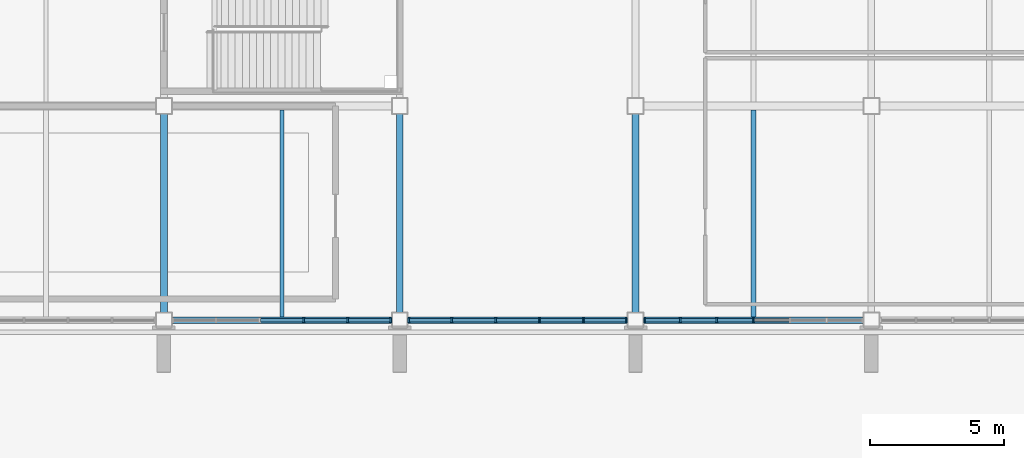
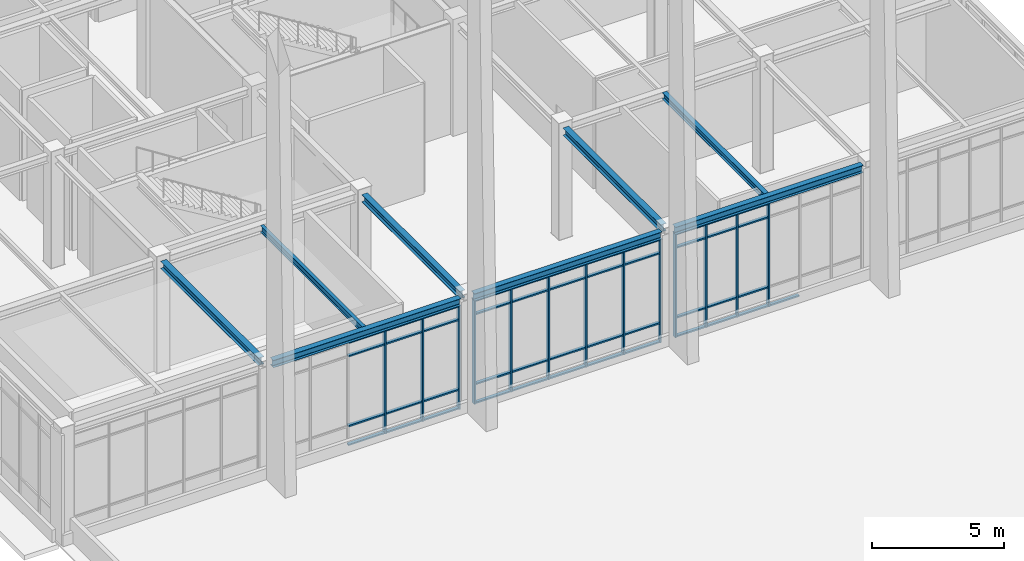
# One storey, part 23 of 108: 58 members, 8 beams, 3 elements without a shape of their own.
"""IFC4 building model written with IfcOpenShell, lengths in metres."""

from ifc_helpers import new_model, si_unit, direction, frame, origin, origin_2d, place, context, subcontext, project, spatial, rectangle, i_section, extrude, material, material_profile, profile_set, type_object, element, aggregate, save


model = new_model("IFC4")

# Units and contexts
model_context = context("Model", 3, precision=1e-05, world=origin(), true_north=direction((0.0, 1.0)))
body_context = subcontext(model_context, "Body", "Model", "MODEL_VIEW")
ifc_project = project(units=[si_unit("LENGTHUNIT", "METRE"), si_unit("AREAUNIT", "SQUARE_METRE"), si_unit("VOLUMEUNIT", "CUBIC_METRE"), si_unit("PLANEANGLEUNIT", "RADIAN"), si_unit("MASSUNIT", "GRAM", prefix="KILO")], contexts=[model_context])

# Site, building, storey
site_placement = place(None, origin())
site = spatial("IfcSite", under=ifc_project, at=site_placement, CompositionType="ELEMENT")
building_placement = place(site_placement, origin())
building = spatial("IfcBuilding", under=site, at=building_placement, Name="Zhaolan Boulevard Law Courts", CompositionType="ELEMENT")
storey_placement = place(building_placement, frame((0.0, 0.0, 10.800048828125)))
storey = spatial("IfcBuildingStorey", under=building, at=storey_placement, Name="L02", CompositionType="ELEMENT", Elevation=10.800048828125)

# Curtain wall, members
ifc_material_1 = material(Name="Thermally broken aluminium and low-E glazing", Category="aluminium")
curtain_wall_type_1 = type_object("IfcCurtainWallType", Name="CURTAIN WALL M8", PredefinedType="USERDEFINED", material=ifc_material_1)
curtain_wall_1_placement = place(storey_placement, origin())
curtain_wall_1 = element("IfcCurtainWall", 1, at=curtain_wall_1_placement, inside=storey, type_object=curtain_wall_type_1, Name="Curtain Wall CW-L02-152", ObjectType="CURTAIN WALL", PredefinedType="USERDEFINED")
ifc_material_2 = material(Name="Fluorocarbon-coated aluminium 6063-T6", Category="aluminium")
ifc_material_profile_1 = material_profile(ifc_material_2, rectangle(XDim=0.179931640625, YDim=0.06494140625, at=origin_2d()), Name="AL65x180")
ifc_profile_set_1 = profile_set([ifc_material_profile_1], Name="Fluorocarbon-coated aluminium 6063-T6")
member_type_1 = type_object("IfcMemberType", Name="CWMULLION 65X180", PredefinedType="MULLION", material=ifc_profile_set_1)
member_1_placement = place(storey_placement, frame((14.01953125, 30.0, 0.0), z_axis=(0.0, 0.0, 1.0), x_axis=(0.0, 1.0, 0.0)))
member_1 = element("IfcMember", 2, at=member_1_placement, type_object=member_type_1, Name="CW-L02-152 mullion 4", PredefinedType="MULLION", context=body_context, shape_type="SweptSolid", body=[
    extrude(rectangle(XDim=0.179931640625, YDim=0.06494140625, at=origin_2d()), origin(), (0.0, 0.0, 1.0), 4.782958984375),
])
member_2_placement = place(storey_placement, frame((15.65869140625, 30.0, 0.0), z_axis=(0.0, 0.0, 1.0), x_axis=(0.0, 1.0, 0.0)))
member_2 = element("IfcMember", 3, at=member_2_placement, type_object=member_type_1, Name="CW-L02-152 mullion 5", PredefinedType="MULLION", context=body_context, shape_type="SweptSolid", body=[
    extrude(rectangle(XDim=0.179931640625, YDim=0.06494140625, at=origin_2d()), origin(), (0.0, 0.0, 1.0), 4.782958984375),
])
member_3_placement = place(storey_placement, frame((17.265380859375, 30.0, 0.0), z_axis=(0.0, 0.0, 1.0), x_axis=(0.0, 1.0, 0.0)))
member_3 = element("IfcMember", 4, at=member_3_placement, type_object=member_type_1, Name="CW-L02-152 mullion 6", PredefinedType="MULLION", context=body_context, shape_type="SweptSolid", body=[
    extrude(rectangle(XDim=0.179931640625, YDim=0.06494140625, at=origin_2d()), origin(), (0.0, 0.0, 1.0), 4.782958984375),
])

ifc_material_3 = material(Name="Thermally broken aluminium and low-E glazing", Category="aluminium")
curtain_wall_type_2 = type_object("IfcCurtainWallType", Name="CURTAIN WALL M9", PredefinedType="USERDEFINED", material=ifc_material_3)
curtain_wall_2_placement = place(storey_placement, origin())
curtain_wall_2 = element("IfcCurtainWall", 5, at=curtain_wall_2_placement, inside=storey, type_object=curtain_wall_type_2, Name="Curtain Wall CW-L02-153", ObjectType="CURTAIN WALL", PredefinedType="USERDEFINED")
member_4_placement = place(storey_placement, frame((17.9345703125, 30.0, 0.0), z_axis=(0.0, 0.0, 1.0), x_axis=(0.0, 1.0, 0.0)))
member_4 = element("IfcMember", 6, at=member_4_placement, type_object=member_type_1, Name="CW-L02-153 mullion 1", PredefinedType="MULLION", context=body_context, shape_type="SweptSolid", body=[
    extrude(rectangle(XDim=0.179931640625, YDim=0.06494140625, at=origin_2d()), origin(), (0.0, 0.0, 1.0), 4.782958984375),
])
member_5_placement = place(storey_placement, frame((19.541259765625, 30.0, 0.0), z_axis=(0.0, 0.0, 1.0), x_axis=(0.0, 1.0, 0.0)))
member_5 = element("IfcMember", 7, at=member_5_placement, type_object=member_type_1, Name="CW-L02-153 mullion 2", PredefinedType="MULLION", context=body_context, shape_type="SweptSolid", body=[
    extrude(rectangle(XDim=0.179931640625, YDim=0.06494140625, at=origin_2d()), origin(), (0.0, 0.0, 1.0), 4.782958984375),
])
member_6_placement = place(storey_placement, frame((21.180419921875, 30.0, 0.0), z_axis=(0.0, 0.0, 1.0), x_axis=(0.0, 1.0, 0.0)))
member_6 = element("IfcMember", 8, at=member_6_placement, type_object=member_type_1, Name="CW-L02-153 mullion 3", PredefinedType="MULLION", context=body_context, shape_type="SweptSolid", body=[
    extrude(rectangle(XDim=0.179931640625, YDim=0.06494140625, at=origin_2d()), origin(), (0.0, 0.0, 1.0), 4.782958984375),
])
member_7_placement = place(storey_placement, frame((22.819580078125, 30.0, 0.0), z_axis=(0.0, 0.0, 1.0), x_axis=(0.0, 1.0, 0.0)))
member_7 = element("IfcMember", 9, at=member_7_placement, type_object=member_type_1, Name="CW-L02-153 mullion 4", PredefinedType="MULLION", context=body_context, shape_type="SweptSolid", body=[
    extrude(rectangle(XDim=0.179931640625, YDim=0.06494140625, at=origin_2d()), origin(), (0.0, 0.0, 1.0), 4.782958984375),
])
member_8_placement = place(storey_placement, frame((24.458740234375, 30.0, 0.0), z_axis=(0.0, 0.0, 1.0), x_axis=(0.0, 1.0, 0.0)))
member_8 = element("IfcMember", 10, at=member_8_placement, type_object=member_type_1, Name="CW-L02-153 mullion 5", PredefinedType="MULLION", context=body_context, shape_type="SweptSolid", body=[
    extrude(rectangle(XDim=0.179931640625, YDim=0.06494140625, at=origin_2d()), origin(), (0.0, 0.0, 1.0), 4.782958984375),
])
member_9_placement = place(storey_placement, frame((26.0654296875, 30.0, 0.0), z_axis=(0.0, 0.0, 1.0), x_axis=(0.0, 1.0, 0.0)))
member_9 = element("IfcMember", 11, at=member_9_placement, type_object=member_type_1, Name="CW-L02-153 mullion 6", PredefinedType="MULLION", context=body_context, shape_type="SweptSolid", body=[
    extrude(rectangle(XDim=0.179931640625, YDim=0.06494140625, at=origin_2d()), origin(), (0.0, 0.0, 1.0), 4.782958984375),
])

ifc_material_4 = material(Name="Thermally broken aluminium and low-E glazing", Category="aluminium")
curtain_wall_type_3 = type_object("IfcCurtainWallType", Name="CURTAIN WALL M10", PredefinedType="USERDEFINED", material=ifc_material_4)
curtain_wall_3_placement = place(storey_placement, origin())
curtain_wall_3 = element("IfcCurtainWall", 12, at=curtain_wall_3_placement, inside=storey, type_object=curtain_wall_type_3, Name="Curtain Wall CW-L02-154", ObjectType="CURTAIN WALL", PredefinedType="USERDEFINED")
member_10_placement = place(storey_placement, frame((26.734619140625, 30.0, 0.0), z_axis=(0.0, 0.0, 1.0), x_axis=(0.0, 1.0, 0.0)))
member_10 = element("IfcMember", 13, at=member_10_placement, type_object=member_type_1, Name="CW-L02-154 mullion 1", PredefinedType="MULLION", context=body_context, shape_type="SweptSolid", body=[
    extrude(rectangle(XDim=0.179931640625, YDim=0.06494140625, at=origin_2d()), origin(), (0.0, 0.0, 1.0), 4.782958984375),
])
member_11_placement = place(storey_placement, frame((28.068115234375, 30.0, 0.0), z_axis=(0.0, 0.0, 1.0), x_axis=(0.0, 1.0, 0.0)))
member_11 = element("IfcMember", 14, at=member_11_placement, type_object=member_type_1, Name="CW-L02-154 mullion 2", PredefinedType="MULLION", context=body_context, shape_type="SweptSolid", body=[
    extrude(rectangle(XDim=0.179931640625, YDim=0.06494140625, at=origin_2d()), origin(), (0.0, 0.0, 1.0), 4.782958984375),
])
member_12_placement = place(storey_placement, frame((29.43408203125, 30.0, 0.0), z_axis=(0.0, 0.0, 1.0), x_axis=(0.0, 1.0, 0.0)))
member_12 = element("IfcMember", 15, at=member_12_placement, type_object=member_type_1, Name="CW-L02-154 mullion 3", PredefinedType="MULLION", context=body_context, shape_type="SweptSolid", body=[
    extrude(rectangle(XDim=0.179931640625, YDim=0.06494140625, at=origin_2d()), origin(), (0.0, 0.0, 1.0), 4.782958984375),
])
member_13_placement = place(storey_placement, frame((30.800048828125, 30.0, 0.0), z_axis=(0.0, 0.0, 1.0), x_axis=(0.0, 1.0, 0.0)))
member_13 = element("IfcMember", 16, at=member_13_placement, type_object=member_type_1, Name="CW-L02-154 mullion 4", PredefinedType="MULLION", context=body_context, shape_type="SweptSolid", body=[
    extrude(rectangle(XDim=0.179931640625, YDim=0.06494140625, at=origin_2d()), origin(), (0.0, 0.0, 1.0), 4.782958984375),
])

# Member
ifc_material_5 = material(Name="Fluorocarbon-coated aluminium 6063-T6", Category="aluminium")
ifc_material_profile_2 = material_profile(ifc_material_5, rectangle(XDim=0.139892578125, YDim=0.06494140625, at=origin_2d()), Name="AL65x140")
ifc_profile_set_2 = profile_set([ifc_material_profile_2], Name="Fluorocarbon-coated aluminium 6063-T6")
member_type_2 = type_object("IfcMemberType", Name="CWTRANSOM 65X140", PredefinedType="USERDEFINED", material=ifc_profile_set_2)
member_14_placement = place(storey_placement, frame((12.412841796875, 30.0, 0.032470703125), z_axis=(1.0, 0.0, 0.0), x_axis=(0.0, 1.0, 0.0)))
member_14 = element("IfcMember", 17, at=member_14_placement, type_object=member_type_2, Name="CW-L02-152 transom 3.1", ObjectType="TRANSOM", PredefinedType="USERDEFINED", context=body_context, shape_type="SweptSolid", body=[
    extrude(rectangle(XDim=0.139892578125, YDim=0.06494140625, at=origin_2d()), origin(), (0.0, 0.0, 1.0), 1.57421875),
])

member_15_placement = place(storey_placement, frame((12.412841796875, 30.0, 0.89990234375), z_axis=(1.0, 0.0, 0.0), x_axis=(0.0, 1.0, 0.0)))
member_15 = element("IfcMember", 18, at=member_15_placement, type_object=member_type_2, Name="CW-L02-152 transom 3.2", ObjectType="TRANSOM", PredefinedType="USERDEFINED", context=body_context, shape_type="SweptSolid", body=[
    extrude(rectangle(XDim=0.139892578125, YDim=0.06494140625, at=origin_2d()), origin(), (0.0, 0.0, 1.0), 1.57421875),
])

member_16_placement = place(storey_placement, frame((12.412841796875, 30.0, 4.133056640625), z_axis=(1.0, 0.0, 0.0), x_axis=(0.0, 1.0, 0.0)))
member_16 = element("IfcMember", 19, at=member_16_placement, type_object=member_type_2, Name="CW-L02-152 transom 3.3", ObjectType="TRANSOM", PredefinedType="USERDEFINED", context=body_context, shape_type="SweptSolid", body=[
    extrude(rectangle(XDim=0.139892578125, YDim=0.06494140625, at=origin_2d()), origin(), (0.0, 0.0, 1.0), 1.57421875),
])

member_17_placement = place(storey_placement, frame((12.412841796875, 30.0, 4.75048828125), z_axis=(1.0, 0.0, 0.0), x_axis=(0.0, 1.0, 0.0)))
member_17 = element("IfcMember", 20, at=member_17_placement, type_object=member_type_2, Name="CW-L02-152 transom 3.4", ObjectType="TRANSOM", PredefinedType="USERDEFINED", context=body_context, shape_type="SweptSolid", body=[
    extrude(rectangle(XDim=0.139892578125, YDim=0.06494140625, at=origin_2d()), origin(), (0.0, 0.0, 1.0), 1.57421875),
])

member_18_placement = place(storey_placement, frame((14.052001953125, 30.0, 0.032470703125), z_axis=(1.0, 0.0, 0.0), x_axis=(0.0, 1.0, 0.0)))
member_18 = element("IfcMember", 21, at=member_18_placement, type_object=member_type_2, Name="CW-L02-152 transom 4.1", ObjectType="TRANSOM", PredefinedType="USERDEFINED", context=body_context, shape_type="SweptSolid", body=[
    extrude(rectangle(XDim=0.139892578125, YDim=0.06494140625, at=origin_2d()), origin(), (0.0, 0.0, 1.0), 1.57421875),
])

member_19_placement = place(storey_placement, frame((14.052001953125, 30.0, 0.89990234375), z_axis=(1.0, 0.0, 0.0), x_axis=(0.0, 1.0, 0.0)))
member_19 = element("IfcMember", 22, at=member_19_placement, type_object=member_type_2, Name="CW-L02-152 transom 4.2", ObjectType="TRANSOM", PredefinedType="USERDEFINED", context=body_context, shape_type="SweptSolid", body=[
    extrude(rectangle(XDim=0.139892578125, YDim=0.06494140625, at=origin_2d()), origin(), (0.0, 0.0, 1.0), 1.57421875),
])

member_20_placement = place(storey_placement, frame((14.052001953125, 30.0, 4.133056640625), z_axis=(1.0, 0.0, 0.0), x_axis=(0.0, 1.0, 0.0)))
member_20 = element("IfcMember", 23, at=member_20_placement, type_object=member_type_2, Name="CW-L02-152 transom 4.3", ObjectType="TRANSOM", PredefinedType="USERDEFINED", context=body_context, shape_type="SweptSolid", body=[
    extrude(rectangle(XDim=0.139892578125, YDim=0.06494140625, at=origin_2d()), origin(), (0.0, 0.0, 1.0), 1.57421875),
])

member_21_placement = place(storey_placement, frame((14.052001953125, 30.0, 4.75048828125), z_axis=(1.0, 0.0, 0.0), x_axis=(0.0, 1.0, 0.0)))
member_21 = element("IfcMember", 24, at=member_21_placement, type_object=member_type_2, Name="CW-L02-152 transom 4.4", ObjectType="TRANSOM", PredefinedType="USERDEFINED", context=body_context, shape_type="SweptSolid", body=[
    extrude(rectangle(XDim=0.139892578125, YDim=0.06494140625, at=origin_2d()), origin(), (0.0, 0.0, 1.0), 1.57421875),
])

member_22_placement = place(storey_placement, frame((15.69140625, 30.0, 0.032470703125), z_axis=(1.0, 0.0, 0.0), x_axis=(0.0, 1.0, 0.0)))
member_22 = element("IfcMember", 25, at=member_22_placement, type_object=member_type_2, Name="CW-L02-152 transom 5.1", ObjectType="TRANSOM", PredefinedType="USERDEFINED", context=body_context, shape_type="SweptSolid", body=[
    extrude(rectangle(XDim=0.139892578125, YDim=0.06494140625, at=origin_2d()), origin(), (0.0, 0.0, 1.0), 1.54150390625),
])

member_23_placement = place(storey_placement, frame((15.69140625, 30.0, 0.89990234375), z_axis=(1.0, 0.0, 0.0), x_axis=(0.0, 1.0, 0.0)))
member_23 = element("IfcMember", 26, at=member_23_placement, type_object=member_type_2, Name="CW-L02-152 transom 5.2", ObjectType="TRANSOM", PredefinedType="USERDEFINED", context=body_context, shape_type="SweptSolid", body=[
    extrude(rectangle(XDim=0.139892578125, YDim=0.06494140625, at=origin_2d()), origin(), (0.0, 0.0, 1.0), 1.54150390625),
])

member_24_placement = place(storey_placement, frame((15.69140625, 30.0, 4.133056640625), z_axis=(1.0, 0.0, 0.0), x_axis=(0.0, 1.0, 0.0)))
member_24 = element("IfcMember", 27, at=member_24_placement, type_object=member_type_2, Name="CW-L02-152 transom 5.3", ObjectType="TRANSOM", PredefinedType="USERDEFINED", context=body_context, shape_type="SweptSolid", body=[
    extrude(rectangle(XDim=0.139892578125, YDim=0.06494140625, at=origin_2d()), origin(), (0.0, 0.0, 1.0), 1.54150390625),
])

member_25_placement = place(storey_placement, frame((15.69140625, 30.0, 4.75048828125), z_axis=(1.0, 0.0, 0.0), x_axis=(0.0, 1.0, 0.0)))
member_25 = element("IfcMember", 28, at=member_25_placement, type_object=member_type_2, Name="CW-L02-152 transom 5.4", ObjectType="TRANSOM", PredefinedType="USERDEFINED", context=body_context, shape_type="SweptSolid", body=[
    extrude(rectangle(XDim=0.139892578125, YDim=0.06494140625, at=origin_2d()), origin(), (0.0, 0.0, 1.0), 1.54150390625),
])

aggregate(curtain_wall_1, [member_1, member_2, member_3, member_14, member_15, member_16, member_17, member_18, member_19, member_20, member_21, member_22, member_23, member_24, member_25])

member_26_placement = place(storey_placement, frame((17.967041015625, 30.0, 0.032470703125), z_axis=(1.0, 0.0, 0.0), x_axis=(0.0, 1.0, 0.0)))
member_26 = element("IfcMember", 29, at=member_26_placement, type_object=member_type_2, Name="CW-L02-153 transom 1.1", ObjectType="TRANSOM", PredefinedType="USERDEFINED", context=body_context, shape_type="SweptSolid", body=[
    extrude(rectangle(XDim=0.139892578125, YDim=0.06494140625, at=origin_2d()), origin(), (0.0, 0.0, 1.0), 1.541748046875),
])

member_27_placement = place(storey_placement, frame((17.967041015625, 30.0, 0.89990234375), z_axis=(1.0, 0.0, 0.0), x_axis=(0.0, 1.0, 0.0)))
member_27 = element("IfcMember", 30, at=member_27_placement, type_object=member_type_2, Name="CW-L02-153 transom 1.2", ObjectType="TRANSOM", PredefinedType="USERDEFINED", context=body_context, shape_type="SweptSolid", body=[
    extrude(rectangle(XDim=0.139892578125, YDim=0.06494140625, at=origin_2d()), origin(), (0.0, 0.0, 1.0), 1.541748046875),
])

member_28_placement = place(storey_placement, frame((17.967041015625, 30.0, 4.133056640625), z_axis=(1.0, 0.0, 0.0), x_axis=(0.0, 1.0, 0.0)))
member_28 = element("IfcMember", 31, at=member_28_placement, type_object=member_type_2, Name="CW-L02-153 transom 1.3", ObjectType="TRANSOM", PredefinedType="USERDEFINED", context=body_context, shape_type="SweptSolid", body=[
    extrude(rectangle(XDim=0.139892578125, YDim=0.06494140625, at=origin_2d()), origin(), (0.0, 0.0, 1.0), 1.541748046875),
])

member_29_placement = place(storey_placement, frame((17.967041015625, 30.0, 4.75048828125), z_axis=(1.0, 0.0, 0.0), x_axis=(0.0, 1.0, 0.0)))
member_29 = element("IfcMember", 32, at=member_29_placement, type_object=member_type_2, Name="CW-L02-153 transom 1.4", ObjectType="TRANSOM", PredefinedType="USERDEFINED", context=body_context, shape_type="SweptSolid", body=[
    extrude(rectangle(XDim=0.139892578125, YDim=0.06494140625, at=origin_2d()), origin(), (0.0, 0.0, 1.0), 1.541748046875),
])

member_30_placement = place(storey_placement, frame((19.57373046875, 30.0, 0.032470703125), z_axis=(1.0, 0.0, 0.0), x_axis=(0.0, 1.0, 0.0)))
member_30 = element("IfcMember", 33, at=member_30_placement, type_object=member_type_2, Name="CW-L02-153 transom 2.1", ObjectType="TRANSOM", PredefinedType="USERDEFINED", context=body_context, shape_type="SweptSolid", body=[
    extrude(rectangle(XDim=0.139892578125, YDim=0.06494140625, at=origin_2d()), origin(), (0.0, 0.0, 1.0), 1.57421875),
])

member_31_placement = place(storey_placement, frame((19.57373046875, 30.0, 0.89990234375), z_axis=(1.0, 0.0, 0.0), x_axis=(0.0, 1.0, 0.0)))
member_31 = element("IfcMember", 34, at=member_31_placement, type_object=member_type_2, Name="CW-L02-153 transom 2.2", ObjectType="TRANSOM", PredefinedType="USERDEFINED", context=body_context, shape_type="SweptSolid", body=[
    extrude(rectangle(XDim=0.139892578125, YDim=0.06494140625, at=origin_2d()), origin(), (0.0, 0.0, 1.0), 1.57421875),
])

member_32_placement = place(storey_placement, frame((19.57373046875, 30.0, 4.133056640625), z_axis=(1.0, 0.0, 0.0), x_axis=(0.0, 1.0, 0.0)))
member_32 = element("IfcMember", 35, at=member_32_placement, type_object=member_type_2, Name="CW-L02-153 transom 2.3", ObjectType="TRANSOM", PredefinedType="USERDEFINED", context=body_context, shape_type="SweptSolid", body=[
    extrude(rectangle(XDim=0.139892578125, YDim=0.06494140625, at=origin_2d()), origin(), (0.0, 0.0, 1.0), 1.57421875),
])

member_33_placement = place(storey_placement, frame((19.57373046875, 30.0, 4.75048828125), z_axis=(1.0, 0.0, 0.0), x_axis=(0.0, 1.0, 0.0)))
member_33 = element("IfcMember", 36, at=member_33_placement, type_object=member_type_2, Name="CW-L02-153 transom 2.4", ObjectType="TRANSOM", PredefinedType="USERDEFINED", context=body_context, shape_type="SweptSolid", body=[
    extrude(rectangle(XDim=0.139892578125, YDim=0.06494140625, at=origin_2d()), origin(), (0.0, 0.0, 1.0), 1.57421875),
])

member_34_placement = place(storey_placement, frame((21.212890625, 30.0, 0.032470703125), z_axis=(1.0, 0.0, 0.0), x_axis=(0.0, 1.0, 0.0)))
member_34 = element("IfcMember", 37, at=member_34_placement, type_object=member_type_2, Name="CW-L02-153 transom 3.1", ObjectType="TRANSOM", PredefinedType="USERDEFINED", context=body_context, shape_type="SweptSolid", body=[
    extrude(rectangle(XDim=0.139892578125, YDim=0.06494140625, at=origin_2d()), origin(), (0.0, 0.0, 1.0), 1.57421875),
])

member_35_placement = place(storey_placement, frame((21.212890625, 30.0, 0.89990234375), z_axis=(1.0, 0.0, 0.0), x_axis=(0.0, 1.0, 0.0)))
member_35 = element("IfcMember", 38, at=member_35_placement, type_object=member_type_2, Name="CW-L02-153 transom 3.2", ObjectType="TRANSOM", PredefinedType="USERDEFINED", context=body_context, shape_type="SweptSolid", body=[
    extrude(rectangle(XDim=0.139892578125, YDim=0.06494140625, at=origin_2d()), origin(), (0.0, 0.0, 1.0), 1.57421875),
])

member_36_placement = place(storey_placement, frame((21.212890625, 30.0, 4.133056640625), z_axis=(1.0, 0.0, 0.0), x_axis=(0.0, 1.0, 0.0)))
member_36 = element("IfcMember", 39, at=member_36_placement, type_object=member_type_2, Name="CW-L02-153 transom 3.3", ObjectType="TRANSOM", PredefinedType="USERDEFINED", context=body_context, shape_type="SweptSolid", body=[
    extrude(rectangle(XDim=0.139892578125, YDim=0.06494140625, at=origin_2d()), origin(), (0.0, 0.0, 1.0), 1.57421875),
])

member_37_placement = place(storey_placement, frame((21.212890625, 30.0, 4.75048828125), z_axis=(1.0, 0.0, 0.0), x_axis=(0.0, 1.0, 0.0)))
member_37 = element("IfcMember", 40, at=member_37_placement, type_object=member_type_2, Name="CW-L02-153 transom 3.4", ObjectType="TRANSOM", PredefinedType="USERDEFINED", context=body_context, shape_type="SweptSolid", body=[
    extrude(rectangle(XDim=0.139892578125, YDim=0.06494140625, at=origin_2d()), origin(), (0.0, 0.0, 1.0), 1.57421875),
])

member_38_placement = place(storey_placement, frame((22.85205078125, 30.0, 0.032470703125), z_axis=(1.0, 0.0, 0.0), x_axis=(0.0, 1.0, 0.0)))
member_38 = element("IfcMember", 41, at=member_38_placement, type_object=member_type_2, Name="CW-L02-153 transom 4.1", ObjectType="TRANSOM", PredefinedType="USERDEFINED", context=body_context, shape_type="SweptSolid", body=[
    extrude(rectangle(XDim=0.139892578125, YDim=0.06494140625, at=origin_2d()), origin(), (0.0, 0.0, 1.0), 1.57421875),
])

member_39_placement = place(storey_placement, frame((22.85205078125, 30.0, 0.89990234375), z_axis=(1.0, 0.0, 0.0), x_axis=(0.0, 1.0, 0.0)))
member_39 = element("IfcMember", 42, at=member_39_placement, type_object=member_type_2, Name="CW-L02-153 transom 4.2", ObjectType="TRANSOM", PredefinedType="USERDEFINED", context=body_context, shape_type="SweptSolid", body=[
    extrude(rectangle(XDim=0.139892578125, YDim=0.06494140625, at=origin_2d()), origin(), (0.0, 0.0, 1.0), 1.57421875),
])

member_40_placement = place(storey_placement, frame((22.85205078125, 30.0, 4.133056640625), z_axis=(1.0, 0.0, 0.0), x_axis=(0.0, 1.0, 0.0)))
member_40 = element("IfcMember", 43, at=member_40_placement, type_object=member_type_2, Name="CW-L02-153 transom 4.3", ObjectType="TRANSOM", PredefinedType="USERDEFINED", context=body_context, shape_type="SweptSolid", body=[
    extrude(rectangle(XDim=0.139892578125, YDim=0.06494140625, at=origin_2d()), origin(), (0.0, 0.0, 1.0), 1.57421875),
])

member_41_placement = place(storey_placement, frame((22.85205078125, 30.0, 4.75048828125), z_axis=(1.0, 0.0, 0.0), x_axis=(0.0, 1.0, 0.0)))
member_41 = element("IfcMember", 44, at=member_41_placement, type_object=member_type_2, Name="CW-L02-153 transom 4.4", ObjectType="TRANSOM", PredefinedType="USERDEFINED", context=body_context, shape_type="SweptSolid", body=[
    extrude(rectangle(XDim=0.139892578125, YDim=0.06494140625, at=origin_2d()), origin(), (0.0, 0.0, 1.0), 1.57421875),
])

member_42_placement = place(storey_placement, frame((24.4912109375, 30.0, 0.032470703125), z_axis=(1.0, 0.0, 0.0), x_axis=(0.0, 1.0, 0.0)))
member_42 = element("IfcMember", 45, at=member_42_placement, type_object=member_type_2, Name="CW-L02-153 transom 5.1", ObjectType="TRANSOM", PredefinedType="USERDEFINED", context=body_context, shape_type="SweptSolid", body=[
    extrude(rectangle(XDim=0.139892578125, YDim=0.06494140625, at=origin_2d()), origin(), (0.0, 0.0, 1.0), 1.541748046875),
])

member_43_placement = place(storey_placement, frame((24.4912109375, 30.0, 0.89990234375), z_axis=(1.0, 0.0, 0.0), x_axis=(0.0, 1.0, 0.0)))
member_43 = element("IfcMember", 46, at=member_43_placement, type_object=member_type_2, Name="CW-L02-153 transom 5.2", ObjectType="TRANSOM", PredefinedType="USERDEFINED", context=body_context, shape_type="SweptSolid", body=[
    extrude(rectangle(XDim=0.139892578125, YDim=0.06494140625, at=origin_2d()), origin(), (0.0, 0.0, 1.0), 1.541748046875),
])

member_44_placement = place(storey_placement, frame((24.4912109375, 30.0, 4.133056640625), z_axis=(1.0, 0.0, 0.0), x_axis=(0.0, 1.0, 0.0)))
member_44 = element("IfcMember", 47, at=member_44_placement, type_object=member_type_2, Name="CW-L02-153 transom 5.3", ObjectType="TRANSOM", PredefinedType="USERDEFINED", context=body_context, shape_type="SweptSolid", body=[
    extrude(rectangle(XDim=0.139892578125, YDim=0.06494140625, at=origin_2d()), origin(), (0.0, 0.0, 1.0), 1.541748046875),
])

member_45_placement = place(storey_placement, frame((24.4912109375, 30.0, 4.75048828125), z_axis=(1.0, 0.0, 0.0), x_axis=(0.0, 1.0, 0.0)))
member_45 = element("IfcMember", 48, at=member_45_placement, type_object=member_type_2, Name="CW-L02-153 transom 5.4", ObjectType="TRANSOM", PredefinedType="USERDEFINED", context=body_context, shape_type="SweptSolid", body=[
    extrude(rectangle(XDim=0.139892578125, YDim=0.06494140625, at=origin_2d()), origin(), (0.0, 0.0, 1.0), 1.541748046875),
])

aggregate(curtain_wall_2, [member_4, member_5, member_6, member_7, member_8, member_9, member_26, member_27, member_28, member_29, member_30, member_31, member_32, member_33, member_34, member_35, member_36, member_37, member_38, member_39, member_40, member_41, member_42, member_43, member_44, member_45])

member_46_placement = place(storey_placement, frame((26.76708984375, 30.0, 0.032470703125), z_axis=(1.0, 0.0, 0.0), x_axis=(0.0, 1.0, 0.0)))
member_46 = element("IfcMember", 49, at=member_46_placement, type_object=member_type_2, Name="CW-L02-154 transom 1.1", ObjectType="TRANSOM", PredefinedType="USERDEFINED", context=body_context, shape_type="SweptSolid", body=[
    extrude(rectangle(XDim=0.139892578125, YDim=0.06494140625, at=origin_2d()), origin(), (0.0, 0.0, 1.0), 1.268310546875),
])

member_47_placement = place(storey_placement, frame((26.76708984375, 30.0, 0.89990234375), z_axis=(1.0, 0.0, 0.0), x_axis=(0.0, 1.0, 0.0)))
member_47 = element("IfcMember", 50, at=member_47_placement, type_object=member_type_2, Name="CW-L02-154 transom 1.2", ObjectType="TRANSOM", PredefinedType="USERDEFINED", context=body_context, shape_type="SweptSolid", body=[
    extrude(rectangle(XDim=0.139892578125, YDim=0.06494140625, at=origin_2d()), origin(), (0.0, 0.0, 1.0), 1.268310546875),
])

member_48_placement = place(storey_placement, frame((26.76708984375, 30.0, 4.133056640625), z_axis=(1.0, 0.0, 0.0), x_axis=(0.0, 1.0, 0.0)))
member_48 = element("IfcMember", 51, at=member_48_placement, type_object=member_type_2, Name="CW-L02-154 transom 1.3", ObjectType="TRANSOM", PredefinedType="USERDEFINED", context=body_context, shape_type="SweptSolid", body=[
    extrude(rectangle(XDim=0.139892578125, YDim=0.06494140625, at=origin_2d()), origin(), (0.0, 0.0, 1.0), 1.268310546875),
])

member_49_placement = place(storey_placement, frame((26.76708984375, 30.0, 4.75048828125), z_axis=(1.0, 0.0, 0.0), x_axis=(0.0, 1.0, 0.0)))
member_49 = element("IfcMember", 52, at=member_49_placement, type_object=member_type_2, Name="CW-L02-154 transom 1.4", ObjectType="TRANSOM", PredefinedType="USERDEFINED", context=body_context, shape_type="SweptSolid", body=[
    extrude(rectangle(XDim=0.139892578125, YDim=0.06494140625, at=origin_2d()), origin(), (0.0, 0.0, 1.0), 1.268310546875),
])

member_50_placement = place(storey_placement, frame((28.1005859375, 30.0, 0.032470703125), z_axis=(1.0, 0.0, 0.0), x_axis=(0.0, 1.0, 0.0)))
member_50 = element("IfcMember", 53, at=member_50_placement, type_object=member_type_2, Name="CW-L02-154 transom 2.1", ObjectType="TRANSOM", PredefinedType="USERDEFINED", context=body_context, shape_type="SweptSolid", body=[
    extrude(rectangle(XDim=0.139892578125, YDim=0.06494140625, at=origin_2d()), origin(), (0.0, 0.0, 1.0), 1.301025390625),
])

member_51_placement = place(storey_placement, frame((28.1005859375, 30.0, 0.89990234375), z_axis=(1.0, 0.0, 0.0), x_axis=(0.0, 1.0, 0.0)))
member_51 = element("IfcMember", 54, at=member_51_placement, type_object=member_type_2, Name="CW-L02-154 transom 2.2", ObjectType="TRANSOM", PredefinedType="USERDEFINED", context=body_context, shape_type="SweptSolid", body=[
    extrude(rectangle(XDim=0.139892578125, YDim=0.06494140625, at=origin_2d()), origin(), (0.0, 0.0, 1.0), 1.301025390625),
])

member_52_placement = place(storey_placement, frame((28.1005859375, 30.0, 4.133056640625), z_axis=(1.0, 0.0, 0.0), x_axis=(0.0, 1.0, 0.0)))
member_52 = element("IfcMember", 55, at=member_52_placement, type_object=member_type_2, Name="CW-L02-154 transom 2.3", ObjectType="TRANSOM", PredefinedType="USERDEFINED", context=body_context, shape_type="SweptSolid", body=[
    extrude(rectangle(XDim=0.139892578125, YDim=0.06494140625, at=origin_2d()), origin(), (0.0, 0.0, 1.0), 1.301025390625),
])

member_53_placement = place(storey_placement, frame((28.1005859375, 30.0, 4.75048828125), z_axis=(1.0, 0.0, 0.0), x_axis=(0.0, 1.0, 0.0)))
member_53 = element("IfcMember", 56, at=member_53_placement, type_object=member_type_2, Name="CW-L02-154 transom 2.4", ObjectType="TRANSOM", PredefinedType="USERDEFINED", context=body_context, shape_type="SweptSolid", body=[
    extrude(rectangle(XDim=0.139892578125, YDim=0.06494140625, at=origin_2d()), origin(), (0.0, 0.0, 1.0), 1.301025390625),
])

member_54_placement = place(storey_placement, frame((29.466552734375, 30.0, 0.032470703125), z_axis=(1.0, 0.0, 0.0), x_axis=(0.0, 1.0, 0.0)))
member_54 = element("IfcMember", 57, at=member_54_placement, type_object=member_type_2, Name="CW-L02-154 transom 3.1", ObjectType="TRANSOM", PredefinedType="USERDEFINED", context=body_context, shape_type="SweptSolid", body=[
    extrude(rectangle(XDim=0.139892578125, YDim=0.06494140625, at=origin_2d()), origin(), (0.0, 0.0, 1.0), 1.301025390625),
])

member_55_placement = place(storey_placement, frame((29.466552734375, 30.0, 0.89990234375), z_axis=(1.0, 0.0, 0.0), x_axis=(0.0, 1.0, 0.0)))
member_55 = element("IfcMember", 58, at=member_55_placement, type_object=member_type_2, Name="CW-L02-154 transom 3.2", ObjectType="TRANSOM", PredefinedType="USERDEFINED", context=body_context, shape_type="SweptSolid", body=[
    extrude(rectangle(XDim=0.139892578125, YDim=0.06494140625, at=origin_2d()), origin(), (0.0, 0.0, 1.0), 1.301025390625),
])

member_56_placement = place(storey_placement, frame((29.466552734375, 30.0, 4.133056640625), z_axis=(1.0, 0.0, 0.0), x_axis=(0.0, 1.0, 0.0)))
member_56 = element("IfcMember", 59, at=member_56_placement, type_object=member_type_2, Name="CW-L02-154 transom 3.3", ObjectType="TRANSOM", PredefinedType="USERDEFINED", context=body_context, shape_type="SweptSolid", body=[
    extrude(rectangle(XDim=0.139892578125, YDim=0.06494140625, at=origin_2d()), origin(), (0.0, 0.0, 1.0), 1.301025390625),
])

member_57_placement = place(storey_placement, frame((29.466552734375, 30.0, 4.75048828125), z_axis=(1.0, 0.0, 0.0), x_axis=(0.0, 1.0, 0.0)))
member_57 = element("IfcMember", 60, at=member_57_placement, type_object=member_type_2, Name="CW-L02-154 transom 3.4", ObjectType="TRANSOM", PredefinedType="USERDEFINED", context=body_context, shape_type="SweptSolid", body=[
    extrude(rectangle(XDim=0.139892578125, YDim=0.06494140625, at=origin_2d()), origin(), (0.0, 0.0, 1.0), 1.301025390625),
])

member_58_placement = place(storey_placement, frame((30.83251953125, 30.0, 0.032470703125), z_axis=(1.0, 0.0, 0.0), x_axis=(0.0, 1.0, 0.0)))
member_58 = element("IfcMember", 61, at=member_58_placement, type_object=member_type_2, Name="CW-L02-154 transom 4.1", ObjectType="TRANSOM", PredefinedType="USERDEFINED", context=body_context, shape_type="SweptSolid", body=[
    extrude(rectangle(XDim=0.139892578125, YDim=0.06494140625, at=origin_2d()), origin(), (0.0, 0.0, 1.0), 1.301025390625),
])

aggregate(curtain_wall_3, [member_10, member_11, member_12, member_13, member_46, member_47, member_48, member_49, member_50, member_51, member_52, member_53, member_54, member_55, member_56, member_57, member_58])

# Beams
ifc_material_6 = material(Name="Structural steel Q355B", Category="steel")
ifc_material_profile_3 = material_profile(ifc_material_6, i_section(OverallWidth=0.25, OverallDepth=0.340087890625, WebThickness=0.009033203125, FlangeThickness=0.013916015625, FilletRadius=0.01611328125, at=origin_2d()), Name="HM340x250")
ifc_profile_set_3 = profile_set([ifc_material_profile_3], Name="Structural steel Q355B")
beam_type_1 = type_object("IfcBeamType", Name="GIRDER HM340", PredefinedType="BEAM", material=ifc_profile_set_3)
for number, where, z_axis, x_axis, name in (
    (62, (8.800048828125, 30.2958984375, 4.968017578125), (0.0, 1.0, 0.0), (-1.0, 0.0, 0.0), "Beam BY-L03-2-E-F"),
    (63, (17.60009765625, 30.2958984375, 4.968017578125), (0.0, 1.0, 0.0), (-1.0, 0.0, 0.0), "Beam BY-L03-3-E-F"),
    (64, (26.39990234375, 30.2958984375, 4.968017578125), (0.0, 1.0, 0.0), (-1.0, 0.0, 0.0), "Beam BY-L03-4-E-F"),
):
    element("IfcBeam", number, at=place(storey_placement, frame(where, z_axis=z_axis, x_axis=x_axis)), inside=storey, type_object=beam_type_1, Name=name, PredefinedType="BEAM", context=body_context, shape_type="SweptSolid", body=[
        extrude(i_section(OverallWidth=0.25, OverallDepth=0.340087890625, WebThickness=0.009033203125, FlangeThickness=0.013916015625, FilletRadius=0.01611328125, at=origin_2d()), origin(), (0.0, 0.0, 1.0), 7.408203125),
    ])
ifc_material_7 = material(Name="Structural steel Q355B", Category="steel")
ifc_material_profile_4 = material_profile(ifc_material_7, i_section(OverallWidth=0.199951171875, OverallDepth=0.2939453125, WebThickness=0.008056640625, FlangeThickness=0.011962890625, FilletRadius=0.01611328125, at=origin_2d()), Name="HM294x200")
ifc_profile_set_4 = profile_set([ifc_material_profile_4], Name="Structural steel Q355B")
beam_type_2 = type_object("IfcBeamType", Name="JOIST HM294", PredefinedType="JOIST", material=ifc_profile_set_4)
beam_1_placement = place(storey_placement, frame((30.800048828125, 30.12109375, 4.990966796875), z_axis=(0.0, 1.0, 0.0), x_axis=(-1.0, 0.0, 0.0)))
element("IfcBeam", 65, at=beam_1_placement, inside=storey, type_object=beam_type_2, Name="Composite Joist J-L03-4E", PredefinedType="JOIST", context=body_context, shape_type="SweptSolid", body=[
    extrude(i_section(OverallWidth=0.199951171875, OverallDepth=0.2939453125, WebThickness=0.008056640625, FlangeThickness=0.011962890625, FilletRadius=0.01611328125, at=origin_2d()), origin(), (0.0, 0.0, 1.0), 7.73291015625),
])
ifc_material_8 = material(Name="Structural steel Q355B", Category="steel")
ifc_material_profile_5 = material_profile(ifc_material_8, i_section(OverallWidth=0.14990234375, OverallDepth=0.300048828125, WebThickness=0.006591796875, FlangeThickness=0.009033203125, FilletRadius=0.010986328125, at=origin_2d()), Name="HN300x150")
ifc_profile_set_5 = profile_set([ifc_material_profile_5], Name="Structural steel Q355B")
beam_type_3 = type_object("IfcBeamType", Name="JOIST HN300", PredefinedType="JOIST", material=ifc_profile_set_5)
beam_2_placement = place(storey_placement, frame((13.199951171875, 30.12109375, 4.988037109375), z_axis=(0.0, 1.0, 0.0), x_axis=(-1.0, 0.0, 0.0)))
element("IfcBeam", 66, at=beam_2_placement, inside=storey, type_object=beam_type_3, Name="Composite Joist J-L03-2E", PredefinedType="JOIST", context=body_context, shape_type="SweptSolid", body=[
    extrude(i_section(OverallWidth=0.14990234375, OverallDepth=0.300048828125, WebThickness=0.006591796875, FlangeThickness=0.009033203125, FilletRadius=0.010986328125, at=origin_2d()), origin(), (0.0, 0.0, 1.0), 7.73291015625),
])
ifc_material_9 = material(Name="Structural steel Q355B", Category="steel")
ifc_material_profile_6 = material_profile(ifc_material_9, i_section(OverallWidth=0.25, OverallDepth=0.340087890625, WebThickness=0.009033203125, FlangeThickness=0.013916015625, FilletRadius=0.01611328125, at=origin_2d()), Name="HM340x250")
ifc_profile_set_6 = profile_set([ifc_material_profile_6], Name="Structural steel Q355B")
beam_type_4 = type_object("IfcBeamType", Name="SPANDREL HM340", PredefinedType="SPANDREL", material=ifc_profile_set_6)
for number, where, z_axis, x_axis, name in (
    (67, (9.095947265625, 30.0, 4.968017578125), (1.0, 0.0, 0.0), (0.0, 1.0, 0.0), "Beam BX-L03-2-3-E"),
    (68, (17.89599609375, 30.0, 4.968017578125), (1.0, 0.0, 0.0), (0.0, 1.0, 0.0), "Beam BX-L03-3-4-E"),
    (69, (26.696044921875, 30.0, 4.968017578125), (1.0, 0.0, 0.0), (0.0, 1.0, 0.0), "Beam BX-L03-4-5-E"),
):
    element("IfcBeam", number, at=place(storey_placement, frame(where, z_axis=z_axis, x_axis=x_axis)), inside=storey, type_object=beam_type_4, Name=name, PredefinedType="SPANDREL", context=body_context, shape_type="SweptSolid", body=[
        extrude(i_section(OverallWidth=0.25, OverallDepth=0.340087890625, WebThickness=0.009033203125, FlangeThickness=0.013916015625, FilletRadius=0.01611328125, at=origin_2d()), origin(), (0.0, 0.0, 1.0), 8.2080078125),
    ])

save(model, "model.ifc")
